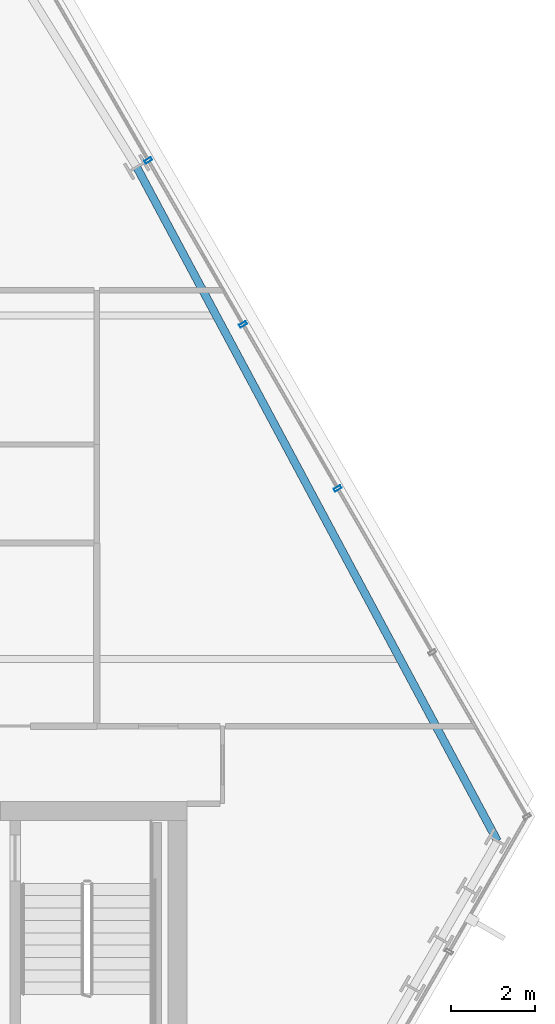
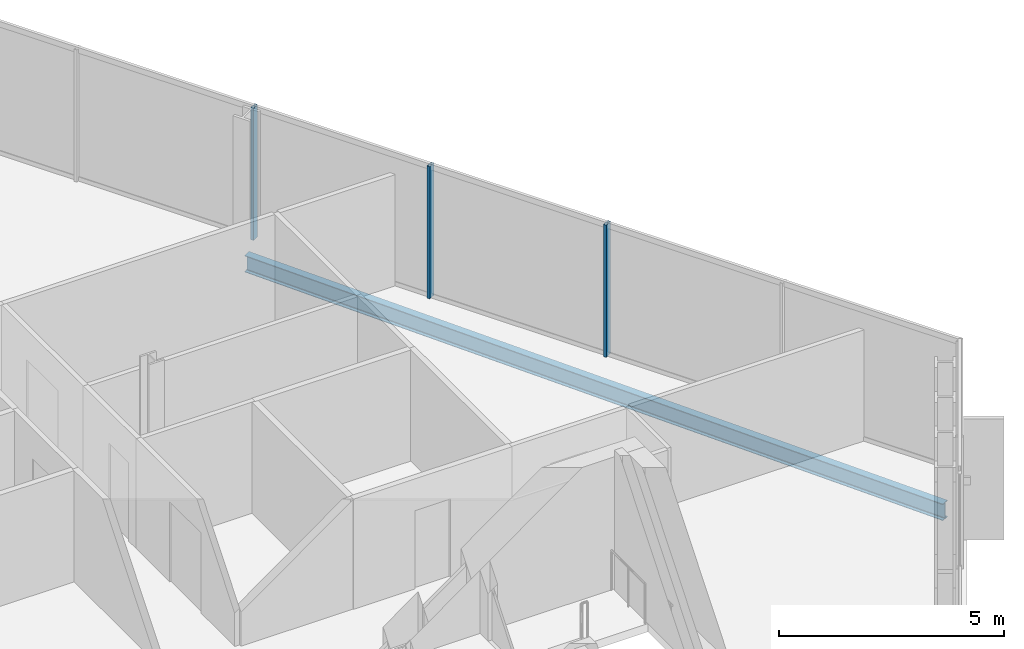
# One storey, part 18 of 33: 3 members, 1 beam, 1 element without a shape of its own.
"""IFC4 building model written with IfcOpenShell, lengths in metres."""

from ifc_helpers import new_model, si_unit, direction, frame, origin, origin_2d, place, context, subcontext, project, spatial, hollow_rectangle, i_section, extrude, material, layer, layer_set, material_profile, profile_set, type_object, element, aggregate, save


model = new_model("IFC4")

# Units and contexts
model_context = context("Model", 3, precision=1e-05, world=origin(), true_north=direction((0.0, 1.0)))
body_context = subcontext(model_context, "Body", "Model", "MODEL_VIEW")
ifc_project = project(units=[si_unit("LENGTHUNIT", "METRE"), si_unit("AREAUNIT", "SQUARE_METRE"), si_unit("VOLUMEUNIT", "CUBIC_METRE"), si_unit("PLANEANGLEUNIT", "RADIAN"), si_unit("MASSUNIT", "GRAM", prefix="KILO")], contexts=[model_context])

# Site, building, storey
site_placement = place(None, origin())
site = spatial("IfcSite", under=ifc_project, at=site_placement, CompositionType="ELEMENT")
building_placement = place(site_placement, origin())
building = spatial("IfcBuilding", under=site, at=building_placement, Name="Ndaravel Arena Tower", CompositionType="ELEMENT")
storey_placement = place(building_placement, frame((0.0, 0.0, 149.800048828125)))
storey = spatial("IfcBuildingStorey", under=building, at=storey_placement, Name="L35", CompositionType="ELEMENT", Elevation=149.800048828125)

# Beam
ifc_material_1 = material(Name="Steel S355", Category="steel")
ifc_material_profile_1 = material_profile(ifc_material_1, i_section(OverallWidth=0.18994140625, OverallDepth=0.449951171875, WebThickness=0.009521484375, FlangeThickness=0.0146484375, FilletRadius=0.02099609375, at=origin_2d()), Name="IPE 450")
ifc_profile_set_1 = profile_set([ifc_material_profile_1], Name="Steel S355")
beam_type = type_object("IfcBeamType", Name="BM-SPAN-IPE450", PredefinedType="SPANDREL", material=ifc_profile_set_1)
beam_placement = place(storey_placement, frame((64.960205078125, 14.260009765625, -0.445068359375), z_axis=(-0.47193833107, 0.881631562313, 0.0), x_axis=(-0.881631562313, -0.47193833107, 0.0)))
element("IfcBeam", 1, at=beam_placement, inside=storey, type_object=beam_type, Name="L35 Perimeter Spandrel Beam SP-09", PredefinedType="SPANDREL", context=body_context, shape_type="SweptSolid", body=[
    extrude(i_section(OverallWidth=0.18994140625, OverallDepth=0.449951171875, WebThickness=0.009521484375, FlangeThickness=0.0146484375, FilletRadius=0.02099609375, at=origin_2d()), origin(), (0.0, 0.0, 1.0), 18.238525390625),
])

# Curtain wall, members
ifc_material_2 = material(Name="Aluminium", Category="aluminium")
ifc_layer = layer(ifc_material_2, 0.179931640625)
ifc_layer_set = layer_set([ifc_layer], Name="Aluminium")
curtain_wall_type = type_object("IfcCurtainWallType", Name="CW-SYS-03", PredefinedType="NOTDEFINED", material=ifc_layer_set)
curtain_wall_placement = place(storey_placement, origin())
curtain_wall = element("IfcCurtainWall", 2, at=curtain_wall_placement, inside=storey, type_object=curtain_wall_type, Name="L35 Faceted Crystal Curtain Wall CW-L35-E03", PredefinedType="NOTDEFINED")
ifc_material_3 = material(Name="Aluminium", Category="aluminium")
ifc_material_profile_2 = material_profile(ifc_material_3, hollow_rectangle(XDim=0.074951171875, YDim=0.179931640625, WallThickness=0.00390625, at=origin_2d()), Name="CW MULLION 75x180x4")
ifc_profile_set_2 = profile_set([ifc_material_profile_2], Name="Aluminium")
member_type = type_object("IfcMemberType", Name="MEM-CW-MUL180", PredefinedType="MULLION", material=ifc_profile_set_2)
member_1_placement = place(storey_placement, frame((61.148681640625, 22.672607421875, 0.0), z_axis=(0.0, 0.0, 1.0), x_axis=(-0.5, 0.866025403784, 0.0)))
member_1 = element("IfcMember", 3, at=member_1_placement, type_object=member_type, Name="CW-L35-E03 Mullion 02", PredefinedType="MULLION", context=body_context, shape_type="SweptSolid", body=[
    extrude(hollow_rectangle(XDim=0.074951171875, YDim=0.179931640625, WallThickness=0.00390625, at=origin_2d()), origin(), (0.0, 0.0, 1.0), 3.579833984375),
])
member_2_placement = place(storey_placement, frame((58.889404296875, 26.5859375, 0.0), z_axis=(0.0, 0.0, 1.0), x_axis=(-0.5, 0.866025403784, 0.0)))
member_2 = element("IfcMember", 4, at=member_2_placement, type_object=member_type, Name="CW-L35-E03 Mullion 03", PredefinedType="MULLION", context=body_context, shape_type="SweptSolid", body=[
    extrude(hollow_rectangle(XDim=0.074951171875, YDim=0.179931640625, WallThickness=0.00390625, at=origin_2d()), origin(), (0.0, 0.0, 1.0), 3.579833984375),
])
member_3_placement = place(storey_placement, frame((56.6298828125, 30.49951171875, 0.0), z_axis=(0.0, 0.0, 1.0), x_axis=(-0.5, 0.866025403784, 0.0)))
member_3 = element("IfcMember", 5, at=member_3_placement, type_object=member_type, Name="CW-L35-E03 Mullion 04", PredefinedType="MULLION", context=body_context, shape_type="SweptSolid", body=[
    extrude(hollow_rectangle(XDim=0.074951171875, YDim=0.179931640625, WallThickness=0.00390625, at=origin_2d()), origin(), (0.0, 0.0, 1.0), 3.579833984375),
])
aggregate(curtain_wall, [member_1, member_2, member_3])

save(model, "model.ifc")
